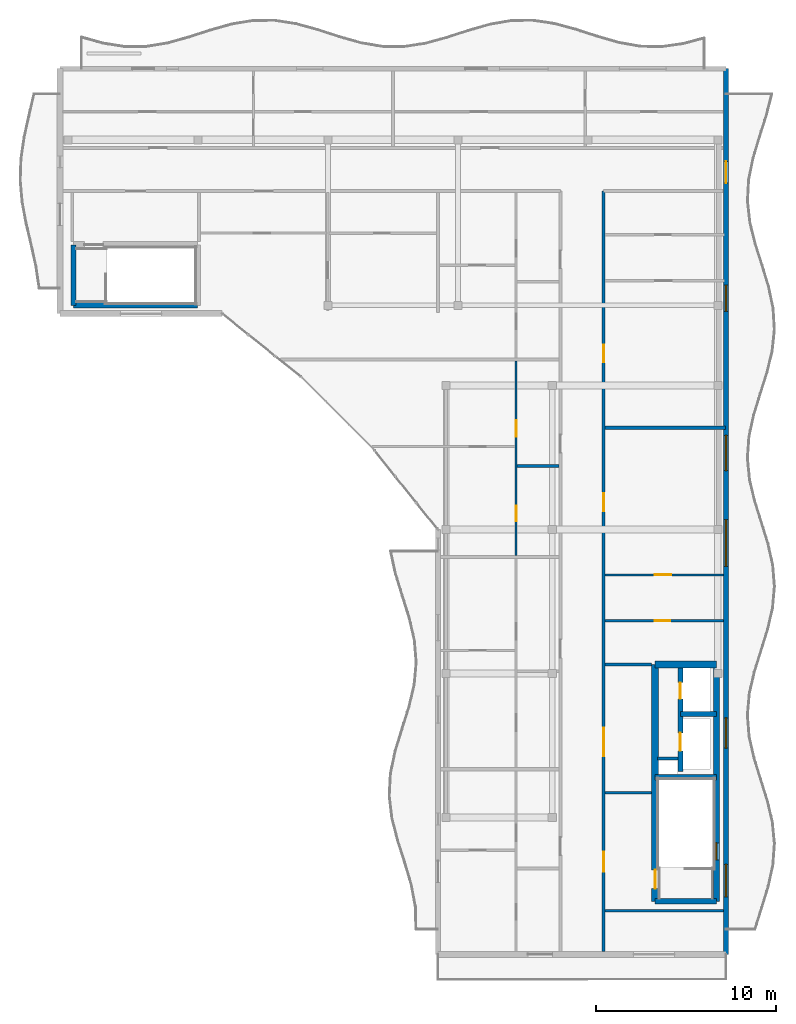
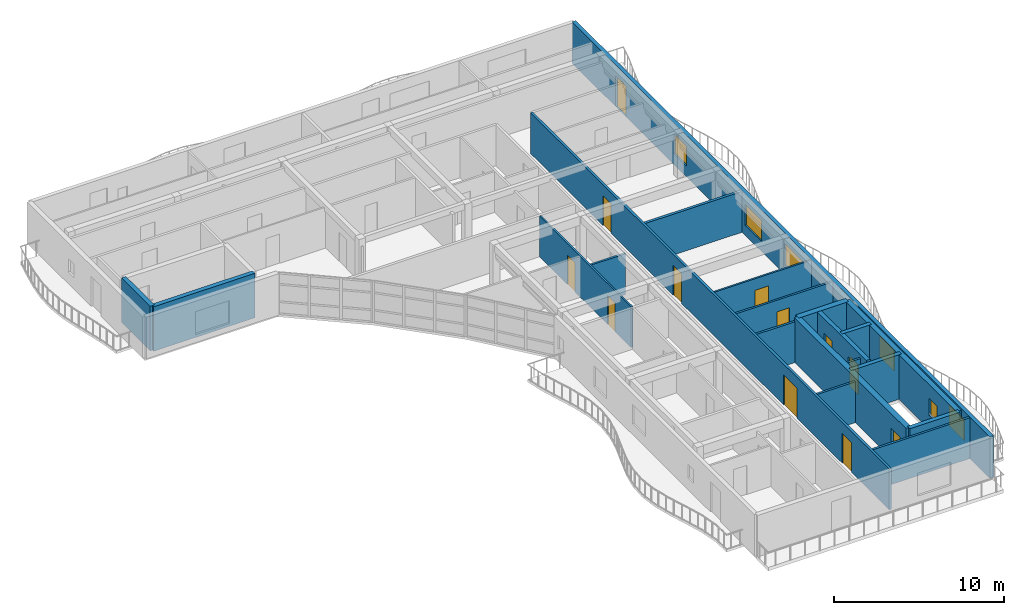
# One storey, part 9 of 14: 20 walls, 12 doors, 6 windows, 18 openings.
"""IFC4 building model written with IfcOpenShell, lengths in metres."""

from ifc_helpers import new_model, si_unit, direction, frame, frame_2d, origin, place, context, subcontext, project, spatial, rectangle, extrude, material, layer, layer_set, type_object, element, fill, save


model = new_model("IFC4")

# Units and contexts
model_context = context("Model", 3, precision=1e-05, world=origin(), true_north=direction((0.0, 1.0)))
body_context = subcontext(model_context, "Body", "Model", "MODEL_VIEW")
ifc_project = project(units=[si_unit("LENGTHUNIT", "METRE"), si_unit("AREAUNIT", "SQUARE_METRE"), si_unit("VOLUMEUNIT", "CUBIC_METRE"), si_unit("PLANEANGLEUNIT", "RADIAN"), si_unit("MASSUNIT", "GRAM", prefix="KILO")], contexts=[model_context])

# Site, building, storey
site_placement = place(None, origin())
site = spatial("IfcSite", under=ifc_project, at=site_placement, CompositionType="ELEMENT")
building_placement = place(site_placement, origin())
building = spatial("IfcBuilding", under=site, at=building_placement, Name="Keldmere Railside Commons", CompositionType="ELEMENT")
storey_placement = place(building_placement, frame((0.0, 0.0, 42.56005859375)))
storey = spatial("IfcBuildingStorey", under=building, at=storey_placement, Name="L13", CompositionType="ELEMENT", Elevation=42.56005859375)

# Wall
ifc_material_1 = material(Name="Acoustic Gypsum Board Partition", Category="gypsum")
ifc_layer_1 = layer(ifc_material_1, 0.179931640625, Name="Acoustic Demising Partition 180")
ifc_layer_set_1 = layer_set([ifc_layer_1], Name="Acoustic Gypsum Board Partition")
wall_type_1 = type_object("IfcWallType", Name="Acoustic Demising Partition 180", PredefinedType="PARTITIONING", material=ifc_layer_set_1)
wall_1_placement = place(storey_placement, frame((177.280029296875, 93.64990234375, 0.0), z_axis=(0.0, 0.0, 1.0), x_axis=(1.0, 0.0, 0.0)))
element("IfcWall", 1, at=wall_1_placement, inside=storey, type_object=wall_type_1, Name="IW-1 IW-L13-1968", PredefinedType="PARTITIONING", context=body_context, shape_type="SweptSolid", body=[
    extrude(rectangle(XDim=6.679931640625, YDim=0.179931640625, at=frame_2d((3.33984375, 0.0))), origin(), (0.0, 0.0, 1.0), 2.93505859375),
])

# Wall, openings, doors
ifc_layer_2 = layer(ifc_material_1, 0.1201171875, Name="Apartment Interior Partition 120")
ifc_layer_set_2 = layer_set([ifc_layer_2], Name="Acoustic Gypsum Board Partition")
wall_type_2 = type_object("IfcWallType", Name="Apartment Interior Partition 120", PredefinedType="PARTITIONING", material=ifc_layer_set_2)
wall_2_placement = place(storey_placement, frame((172.340087890625, 86.570068359375, 0.0), z_axis=(0.0, 0.0, 1.0), x_axis=(0.0, 1.0, 0.0)))
wall_2 = element("IfcWall", 2, at=wall_2_placement, inside=storey, type_object=wall_type_2, Name="IW-4 IW-L13-1952", PredefinedType="PARTITIONING", context=body_context, shape_type="SweptSolid", body=[
    extrude(rectangle(XDim=10.780029296875, YDim=0.1201171875, at=frame_2d((5.39013671875, 0.0))), origin(), (0.0, 0.0, 1.0), 2.93505859375),
])
opening_1_placement = place(wall_2_placement, frame((1.884765625, 0.0, 0.0)))
opening_1 = element("IfcOpeningElement", 3, at=opening_1_placement, cuts=wall_2, Name="Opening ID-04", PredefinedType="OPENING", context=body_context, shape_type="SweptSolid", body=[
    extrude(rectangle(XDim=0.860107421875, YDim=2.10009765625, at=frame_2d((0.43017578125, 1.050048828125))), frame((0.0, 0.070068359375, 0.0), z_axis=(0.0, -1.0, 0.0), x_axis=(1.0, 0.0, 0.0)), (0.0, 0.0, 1.0), 0.14013671875),
])
opening_2_placement = place(wall_2_placement, frame((6.589599609375, 0.0, 0.0)))
opening_2 = element("IfcOpeningElement", 4, at=opening_2_placement, cuts=wall_2, Name="Opening ID-03", PredefinedType="OPENING", context=body_context, shape_type="SweptSolid", body=[
    extrude(rectangle(XDim=0.919921875, YDim=2.10009765625, at=frame_2d((0.4599609375, 1.050048828125))), frame((0.0, 0.070068359375, 0.0), z_axis=(0.0, -1.0, 0.0), x_axis=(1.0, 0.0, 0.0)), (0.0, 0.0, 1.0), 0.14013671875),
])
ifc_material_2 = material(Name="Engineered Oak Timber", Category="wood")
door_type_1 = type_object("IfcDoorType", Name="Apartment Bathroom Door 860x2100", OperationType="NOTDEFINED", PredefinedType="DOOR", material=ifc_material_2)
door_1_placement = place(opening_1_placement, origin())
door_1 = element("IfcDoor", 5, at=door_1_placement, inside=storey, type_object=door_type_1, Name="ID-04 IDR-L13-1788", OperationType="SINGLE_SWING_RIGHT", OverallHeight=2.10009765625, OverallWidth=0.860107421875, PredefinedType="DOOR", context=body_context, shape_type="SweptSolid", body=[
    extrude(rectangle(XDim=0.860107421875, YDim=2.10009765625, at=frame_2d((0.43017578125, 1.050048828125))), frame((0.0, 0.02490234375, 0.0), z_axis=(0.0, -1.0, 0.0), x_axis=(1.0, 0.0, 0.0)), (0.0, 0.0, 1.0), 0.050048828125),
])
fill(opening_1, door_1)
door_type_2 = type_object("IfcDoorType", Name="Kitchen Pocket-Frame Swing Door 920x2100", OperationType="NOTDEFINED", PredefinedType="DOOR", material=ifc_material_2)
door_2_placement = place(opening_2_placement, origin())
door_2 = element("IfcDoor", 6, at=door_2_placement, inside=storey, type_object=door_type_2, Name="ID-03 IDR-L13-1789", OperationType="SINGLE_SWING_LEFT", OverallHeight=2.10009765625, OverallWidth=0.919921875, PredefinedType="DOOR", context=body_context, shape_type="SweptSolid", body=[
    extrude(rectangle(XDim=0.919921875, YDim=2.10009765625, at=frame_2d((0.4599609375, 1.050048828125))), frame((0.0, 0.02490234375, 0.0), z_axis=(0.0, -1.0, 0.0), x_axis=(1.0, 0.0, 0.0)), (0.0, 0.0, 1.0), 0.050048828125),
])
fill(opening_2, door_2)

# Wall, opening, door
wall_3_placement = place(storey_placement, frame((177.280029296875, 85.47998046875, 0.0), z_axis=(0.0, 0.0, 1.0), x_axis=(1.0, 0.0, 0.0)))
wall_3 = element("IfcWall", 7, at=wall_3_placement, inside=storey, type_object=wall_type_2, Name="IW-4 IW-L13-1970", PredefinedType="PARTITIONING", context=body_context, shape_type="SweptSolid", body=[
    extrude(rectangle(XDim=6.590087890625, YDim=0.1201171875, at=frame_2d((3.294921875, 0.0))), origin(), (0.0, 0.0, 1.0), 2.93505859375),
])
opening_3_placement = place(wall_3_placement, frame((2.767822265625, 0.0, 0.0)))
opening_3 = element("IfcOpeningElement", 8, at=opening_3_placement, cuts=wall_3, Name="Opening ID-03", PredefinedType="OPENING", context=body_context, shape_type="SweptSolid", body=[
    extrude(rectangle(XDim=0.919921875, YDim=2.10009765625, at=frame_2d((0.4599609375, 1.050048828125))), frame((0.0, 0.070068359375, 0.0), z_axis=(0.0, -1.0, 0.0), x_axis=(1.0, 0.0, 0.0)), (0.0, 0.0, 1.0), 0.14013671875),
])
door_3_placement = place(opening_3_placement, origin())
door_3 = element("IfcDoor", 9, at=door_3_placement, inside=storey, type_object=door_type_2, Name="ID-03 IDR-L13-1810", OperationType="SINGLE_SWING_RIGHT", OverallHeight=2.10009765625, OverallWidth=0.919921875, PredefinedType="DOOR", context=body_context, shape_type="SweptSolid", body=[
    extrude(rectangle(XDim=0.919921875, YDim=2.10009765625, at=frame_2d((0.4599609375, 1.050048828125))), frame((0.0, 0.02490234375, 0.0), z_axis=(0.0, -1.0, 0.0), x_axis=(1.0, 0.0, 0.0)), (0.0, 0.0, 1.0), 0.050048828125),
])
fill(opening_3, door_3)

# Walls
ifc_material_3 = material(Name="Concrete H-35 (C35/45)", Category="concrete")
ifc_layer_3 = layer(ifc_material_3, 0.280029296875, Name="Core Shear Wall 280")
ifc_layer_set_3 = layer_set([ifc_layer_3], Name="Concrete H-35 (C35/45)")
wall_type_3 = type_object("IfcWallType", Name="Core Shear Wall 280", PredefinedType="SHEAR", material=ifc_layer_set_3)
wall_4_placement = place(storey_placement, frame((180.06005859375, 74.239990234375, 0.0), z_axis=(0.0, 0.0, 1.0), x_axis=(1.0, 0.0, 0.0)))
element("IfcWall", 10, at=wall_4_placement, inside=storey, type_object=wall_type_3, Name="CSW-2 COREAM-L13-0868", PredefinedType="SHEAR", context=body_context, shape_type="SweptSolid", body=[
    extrude(rectangle(XDim=3.409912109375, YDim=0.280029296875, at=frame_2d((1.705078125, 0.0))), origin(), (0.0, 0.0, 1.0), 3.199951171875),
])
wall_5_placement = place(storey_placement, frame((181.469970703125, 77.75, 0.0), z_axis=(0.0, 0.0, 1.0), x_axis=(1.0, 0.0, 0.0)))
element("IfcWall", 11, at=wall_5_placement, inside=storey, type_object=wall_type_3, Name="CSW-2 COREAL-L13-0869", PredefinedType="SHEAR", context=body_context, shape_type="SweptSolid", body=[
    extrude(rectangle(XDim=2.0, YDim=0.280029296875, at=frame_2d((1.0, 0.0))), origin(), (0.0, 0.0, 1.0), 3.199951171875),
])

# Wall, openings, doors
wall_6_placement = place(storey_placement, frame((181.469970703125, 74.550048828125, 0.0), z_axis=(0.0, 0.0, 1.0), x_axis=(0.0, 1.0, 0.0)))
wall_6 = element("IfcWall", 12, at=wall_6_placement, inside=storey, type_object=wall_type_3, Name="CSW-2 LSHA-L13-0870", PredefinedType="SHEAR", context=body_context, shape_type="SweptSolid", body=[
    extrude(rectangle(XDim=5.949951171875, YDim=0.280029296875, at=frame_2d((2.97509765625, 0.0))), origin(), (0.0, 0.0, 1.0), 3.199951171875),
])
opening_4_placement = place(wall_6_placement, frame((1.14990234375, 0.0, 0.0)))
opening_4 = element("IfcOpeningElement", 13, at=opening_4_placement, cuts=wall_6, Name="Opening LD-1", PredefinedType="OPENING", context=body_context, shape_type="SweptSolid", body=[
    extrude(rectangle(XDim=1.0, YDim=2.14990234375, at=frame_2d((0.5, 1.074951171875))), frame((0.0, 0.14990234375, 0.0), z_axis=(0.0, -1.0, 0.0), x_axis=(1.0, 0.0, 0.0)), (0.0, 0.0, 1.0), 0.300048828125),
])
opening_5_placement = place(wall_6_placement, frame((4.050048828125, 0.0, 0.0)))
opening_5 = element("IfcOpeningElement", 14, at=opening_5_placement, cuts=wall_6, Name="Opening LD-2", PredefinedType="OPENING", context=body_context, shape_type="SweptSolid", body=[
    extrude(rectangle(XDim=0.89990234375, YDim=2.14990234375, at=frame_2d((0.449951171875, 1.074951171875))), frame((0.0, 0.14990234375, 0.0), z_axis=(0.0, -1.0, 0.0), x_axis=(1.0, 0.0, 0.0)), (0.0, 0.0, 1.0), 0.300048828125),
])
ifc_material_4 = material(Name="Steel F-24 (S235)", Category="steel")
door_type_3 = type_object("IfcDoorType", Name="Firefighting Stretcher Lift Landing Door 1000x2150", OperationType="SLIDING_TO_LEFT", PredefinedType="DOOR", material=ifc_material_4)
door_4_placement = place(opening_4_placement, origin())
door_4 = element("IfcDoor", 15, at=door_4_placement, inside=storey, type_object=door_type_3, Name="LD-1 A L13", OperationType="SLIDING_TO_LEFT", OverallHeight=2.14990234375, OverallWidth=1.0, PredefinedType="DOOR", context=body_context, shape_type="SweptSolid", body=[
    extrude(rectangle(XDim=1.0, YDim=2.14990234375, at=frame_2d((0.5, 1.074951171875))), frame((0.0, 0.02490234375, 0.0), z_axis=(0.0, -1.0, 0.0), x_axis=(1.0, 0.0, 0.0)), (0.0, 0.0, 1.0), 0.050048828125),
])
fill(opening_4, door_4)
door_type_4 = type_object("IfcDoorType", Name="Passenger Lift Sliding Landing Door 900x2150", OperationType="SLIDING_TO_RIGHT", PredefinedType="DOOR", material=ifc_material_4)
door_5_placement = place(opening_5_placement, origin())
door_5 = element("IfcDoor", 16, at=door_5_placement, inside=storey, type_object=door_type_4, Name="LD-2 A L13", OperationType="SLIDING_TO_RIGHT", OverallHeight=2.14990234375, OverallWidth=0.89990234375, PredefinedType="DOOR", context=body_context, shape_type="SweptSolid", body=[
    extrude(rectangle(XDim=0.89990234375, YDim=2.14990234375, at=frame_2d((0.449951171875, 1.074951171875))), frame((0.0, 0.02490234375, 0.0), z_axis=(0.0, -1.0, 0.0), x_axis=(1.0, 0.0, 0.0)), (0.0, 0.0, 1.0), 0.050048828125),
])
fill(opening_5, door_5)

# Wall, opening, door
ifc_material_5 = material(Name="Concrete H-40 (C40/50)", Category="concrete")
ifc_layer_4 = layer(ifc_material_5, 0.3798828125, Name="Core Shear Wall 380")
ifc_layer_set_4 = layer_set([ifc_layer_4], Name="Concrete H-40 (C40/50)")
wall_type_4 = type_object("IfcWallType", Name="Core Shear Wall 380", PredefinedType="SHEAR", material=ifc_layer_set_4)
wall_7_placement = place(storey_placement, frame((180.06005859375, 67.35009765625, 0.0), z_axis=(0.0, 0.0, 1.0), x_axis=(0.0, 1.0, 0.0)))
wall_7 = element("IfcWall", 17, at=wall_7_placement, inside=storey, type_object=wall_type_4, Name="CW-CORE COREAW-L13-0864", PredefinedType="SHEAR", context=body_context, shape_type="SweptSolid", body=[
    extrude(rectangle(XDim=13.14990234375, YDim=0.3798828125, at=frame_2d((6.574951171875, 0.0))), origin(), (0.0, 0.0, 1.0), 3.199951171875),
])
opening_6_placement = place(wall_7_placement, frame((0.699951171875, 0.0, 0.0)))
opening_6 = element("IfcOpeningElement", 18, at=opening_6_placement, cuts=wall_7, Name="Opening FD-1", PredefinedType="OPENING", context=body_context, shape_type="SweptSolid", body=[
    extrude(rectangle(XDim=1.050048828125, YDim=2.14990234375, at=frame_2d((0.52490234375, 1.074951171875))), frame((0.0, 0.199951171875, 0.0), z_axis=(0.0, -1.0, 0.0), x_axis=(1.0, 0.0, 0.0)), (0.0, 0.0, 1.0), 0.39990234375),
])
door_type_5 = type_object("IfcDoorType", Name="Stair Core Fire Door 1050x2150", OperationType="NOTDEFINED", PredefinedType="DOOR", material=ifc_material_4)
door_6_placement = place(opening_6_placement, origin())
door_6 = element("IfcDoor", 19, at=door_6_placement, inside=storey, type_object=door_type_5, Name="FD-1 A1 L13", OperationType="SINGLE_SWING_LEFT", OverallHeight=2.14990234375, OverallWidth=1.050048828125, PredefinedType="DOOR", context=body_context, shape_type="SweptSolid", body=[
    extrude(rectangle(XDim=1.050048828125, YDim=2.14990234375, at=frame_2d((0.52490234375, 1.074951171875))), frame((0.0, 0.02490234375, 0.0), z_axis=(0.0, -1.0, 0.0), x_axis=(1.0, 0.0, 0.0)), (0.0, 0.0, 1.0), 0.050048828125),
])
fill(opening_6, door_6)

# Wall
wall_8_placement = place(storey_placement, frame((180.06005859375, 80.5, 0.0), z_axis=(0.0, 0.0, 1.0), x_axis=(1.0, 0.0, 0.0)))
element("IfcWall", 20, at=wall_8_placement, inside=storey, type_object=wall_type_4, Name="CW-CORE COREAN-L13-0865", PredefinedType="SHEAR", context=body_context, shape_type="SweptSolid", body=[
    extrude(rectangle(XDim=3.409912109375, YDim=0.3798828125, at=frame_2d((1.705078125, 0.0))), origin(), (0.0, 0.0, 1.0), 3.199951171875),
])

# Wall, openings, doors
ifc_layer_5 = layer(ifc_material_1, 0.159912109375, Name="Corridor Fire Partition 160")
ifc_layer_set_5 = layer_set([ifc_layer_5], Name="Acoustic Gypsum Board Partition")
wall_type_5 = type_object("IfcWallType", Name="Corridor Fire Partition 160", PredefinedType="PARTITIONING", material=ifc_layer_set_5)
wall_9_placement = place(storey_placement, frame((177.199951171875, 64.56005859375, 0.0), z_axis=(0.0, 0.0, 1.0), x_axis=(0.0, 1.0, 0.0)))
wall_9 = element("IfcWall", 21, at=wall_9_placement, inside=storey, type_object=wall_type_5, Name="IW-2 IW-L13-1936", PredefinedType="PARTITIONING", context=body_context, shape_type="SweptSolid", body=[
    extrude(rectangle(XDim=42.239990234375, YDim=0.159912109375, at=frame_2d((21.1201171875, 0.0))), origin(), (0.0, 0.0, 1.0), 2.93505859375),
])
opening_7_placement = place(wall_9_placement, frame((4.43994140625, 0.0, 0.0)))
opening_7 = element("IfcOpeningElement", 22, at=opening_7_placement, cuts=wall_9, Name="Opening FD-2", PredefinedType="OPENING", context=body_context, shape_type="SweptSolid", body=[
    extrude(rectangle(XDim=1.10009765625, YDim=2.14990234375, at=frame_2d((0.550048828125, 1.074951171875))), frame((0.0, 0.08984375, 0.0), z_axis=(0.0, -1.0, 0.0), x_axis=(1.0, 0.0, 0.0)), (0.0, 0.0, 1.0), 0.179931640625),
])
opening_8_placement = place(wall_9_placement, frame((10.840087890625, 0.0, 0.0)))
opening_8 = element("IfcOpeningElement", 23, at=opening_8_placement, cuts=wall_9, Name="Opening FD-4", PredefinedType="OPENING", context=body_context, shape_type="SweptSolid", body=[
    extrude(rectangle(XDim=1.60009765625, YDim=2.14990234375, at=frame_2d((0.800048828125, 1.074951171875))), frame((0.0, 0.08984375, 0.0), z_axis=(0.0, -1.0, 0.0), x_axis=(1.0, 0.0, 0.0)), (0.0, 0.0, 1.0), 0.179931640625),
])
opening_9_placement = place(wall_9_placement, frame((24.469970703125, 0.0, 0.0)))
opening_9 = element("IfcOpeningElement", 24, at=opening_9_placement, cuts=wall_9, Name="Opening FD-7", PredefinedType="OPENING", context=body_context, shape_type="SweptSolid", body=[
    extrude(rectangle(XDim=0.97998046875, YDim=2.14990234375, at=frame_2d((0.489990234375, 1.074951171875))), frame((0.0, 0.08984375, 0.0), z_axis=(0.0, -1.0, 0.0), x_axis=(1.0, 0.0, 0.0)), (0.0, 0.0, 1.0), 0.179931640625),
])
opening_10_placement = place(wall_9_placement, frame((32.72998046875, 0.0, 0.0)))
opening_10 = element("IfcOpeningElement", 25, at=opening_10_placement, cuts=wall_9, Name="Opening FD-7", PredefinedType="OPENING", context=body_context, shape_type="SweptSolid", body=[
    extrude(rectangle(XDim=0.97998046875, YDim=2.14990234375, at=frame_2d((0.489990234375, 1.074951171875))), frame((0.0, 0.08984375, 0.0), z_axis=(0.0, -1.0, 0.0), x_axis=(1.0, 0.0, 0.0)), (0.0, 0.0, 1.0), 0.179931640625),
])
door_type_6 = type_object("IfcDoorType", Name="Apartment Entrance Acoustic Fire Door 980x2150", OperationType="NOTDEFINED", PredefinedType="DOOR", material=ifc_material_2)
door_7_placement = place(opening_9_placement, origin())
door_7 = element("IfcDoor", 26, at=door_7_placement, inside=storey, type_object=door_type_6, Name="FD-7 IDR-L13-1811", OperationType="SINGLE_SWING_LEFT", OverallHeight=2.14990234375, OverallWidth=0.97998046875, PredefinedType="DOOR", context=body_context, shape_type="SweptSolid", body=[
    extrude(rectangle(XDim=0.97998046875, YDim=2.14990234375, at=frame_2d((0.489990234375, 1.074951171875))), frame((0.0, 0.02490234375, 0.0), z_axis=(0.0, -1.0, 0.0), x_axis=(1.0, 0.0, 0.0)), (0.0, 0.0, 1.0), 0.050048828125),
])
fill(opening_9, door_7)
door_8_placement = place(opening_10_placement, origin())
door_8 = element("IfcDoor", 27, at=door_8_placement, inside=storey, type_object=door_type_6, Name="FD-7 IDR-L13-1814", OperationType="SINGLE_SWING_RIGHT", OverallHeight=2.14990234375, OverallWidth=0.97998046875, PredefinedType="DOOR", context=body_context, shape_type="SweptSolid", body=[
    extrude(rectangle(XDim=0.97998046875, YDim=2.14990234375, at=frame_2d((0.489990234375, 1.074951171875))), frame((0.0, 0.02490234375, 0.0), z_axis=(0.0, -1.0, 0.0), x_axis=(1.0, 0.0, 0.0)), (0.0, 0.0, 1.0), 0.050048828125),
])
fill(opening_10, door_8)
door_type_7 = type_object("IfcDoorType", Name="Corridor Cross-Compartment Double Fire Door 1600x2150", OperationType="DOUBLE_DOOR_SINGLE_SWING", PredefinedType="DOOR", material=ifc_material_4)
door_9_placement = place(opening_8_placement, origin())
door_9 = element("IfcDoor", 28, at=door_9_placement, inside=storey, type_object=door_type_7, Name="FD-4 IDR-L13-1779", OperationType="DOUBLE_DOOR_SINGLE_SWING", OverallHeight=2.14990234375, OverallWidth=1.60009765625, PredefinedType="DOOR", context=body_context, shape_type="SweptSolid", body=[
    extrude(rectangle(XDim=1.60009765625, YDim=2.14990234375, at=frame_2d((0.800048828125, 1.074951171875))), frame((0.0, 0.02490234375, 0.0), z_axis=(0.0, -1.0, 0.0), x_axis=(1.0, 0.0, 0.0)), (0.0, 0.0, 1.0), 0.050048828125),
])
fill(opening_8, door_9)
door_type_8 = type_object("IfcDoorType", Name="Firefighting Lobby Fire Door 1100x2150", OperationType="NOTDEFINED", PredefinedType="DOOR", material=ifc_material_4)
door_10_placement = place(opening_7_placement, origin())
door_10 = element("IfcDoor", 29, at=door_10_placement, inside=storey, type_object=door_type_8, Name="FD-2 IDR-L13-1778", OperationType="SINGLE_SWING_RIGHT", OverallHeight=2.14990234375, OverallWidth=1.10009765625, PredefinedType="DOOR", context=body_context, shape_type="SweptSolid", body=[
    extrude(rectangle(XDim=1.10009765625, YDim=2.14990234375, at=frame_2d((0.550048828125, 1.074951171875))), frame((0.0, 0.02490234375, 0.0), z_axis=(0.0, -1.0, 0.0), x_axis=(1.0, 0.0, 0.0)), (0.0, 0.0, 1.0), 0.050048828125),
])
fill(opening_7, door_10)

# Walls
ifc_layer_6 = layer(ifc_material_3, 0.300048828125, Name="Interior Shear Wall 300")
ifc_layer_set_6 = layer_set([ifc_layer_6], Name="Concrete H-35 (C35/45)")
wall_type_6 = type_object("IfcWallType", Name="Interior Shear Wall 300", PredefinedType="SHEAR", material=ifc_layer_set_6)
wall_10_placement = place(storey_placement, frame((183.469970703125, 67.35009765625, 0.0), z_axis=(0.0, 0.0, 1.0), x_axis=(-1.0, 0.0, 0.0)))
element("IfcWall", 30, at=wall_10_placement, inside=storey, type_object=wall_type_6, Name="ISW-2 COREAS-L13-0867", PredefinedType="SHEAR", context=body_context, shape_type="SweptSolid", body=[
    extrude(rectangle(XDim=3.409912109375, YDim=0.300048828125, at=frame_2d((1.705078125, 0.0))), origin(), (0.0, 0.0, 1.0), 3.199951171875),
])
wall_11_placement = place(storey_placement, frame((147.75, 100.449951171875, 0.0), z_axis=(0.0, 0.0, 1.0), x_axis=(1.0, 0.0, 0.0)))
element("IfcWall", 31, at=wall_11_placement, inside=storey, type_object=wall_type_6, Name="ISW-2 COREA2S-L13-0872", PredefinedType="SHEAR", context=body_context, shape_type="SweptSolid", body=[
    extrude(rectangle(XDim=6.89990234375, YDim=0.300048828125, at=frame_2d((3.449951171875, 0.0))), origin(), (0.0, 0.0, 1.0), 3.199951171875),
])
wall_12_placement = place(storey_placement, frame((147.75, 103.820068359375, 0.0), z_axis=(0.0, 0.0, 1.0), x_axis=(0.0, -1.0, 0.0)))
element("IfcWall", 32, at=wall_12_placement, inside=storey, type_object=wall_type_6, Name="ISW-2 COREA2W-L13-0874", PredefinedType="SHEAR", context=body_context, shape_type="SweptSolid", body=[
    extrude(rectangle(XDim=3.3701171875, YDim=0.300048828125, at=frame_2d((1.68505859375, 0.0))), origin(), (0.0, 0.0, 1.0), 3.199951171875),
])

# Wall, opening, window
ifc_layer_7 = layer(ifc_material_3, 0.340087890625, Name="Interior Shear Wall 340")
ifc_layer_set_7 = layer_set([ifc_layer_7], Name="Concrete H-35 (C35/45)")
wall_type_7 = type_object("IfcWallType", Name="Interior Shear Wall 340", PredefinedType="SHEAR", material=ifc_layer_set_7)
wall_13_placement = place(storey_placement, frame((183.469970703125, 80.5, 0.0), z_axis=(0.0, 0.0, 1.0), x_axis=(0.0, -1.0, 0.0)))
wall_13 = element("IfcWall", 33, at=wall_13_placement, inside=storey, type_object=wall_type_7, Name="ISW-1 COREAE-L13-0866", PredefinedType="SHEAR", context=body_context, shape_type="SweptSolid", body=[
    extrude(rectangle(XDim=13.14990234375, YDim=0.340087890625, at=frame_2d((6.574951171875, 0.0))), origin(), (0.0, 0.0, 1.0), 3.199951171875),
])
opening_11_placement = place(wall_13_placement, frame((9.89990234375, 0.0, 0.969970703125)))
opening_11 = element("IfcOpeningElement", 34, at=opening_11_placement, cuts=wall_13, Name="Opening WN-17", PredefinedType="OPENING", context=body_context, shape_type="SweptSolid", body=[
    extrude(rectangle(XDim=0.949951171875, YDim=1.25, at=frame_2d((0.47509765625, 0.625))), frame((0.0, 0.179931640625, 0.0), z_axis=(0.0, -1.0, 0.0), x_axis=(1.0, 0.0, 0.0)), (0.0, 0.0, 1.0), 0.360107421875),
])
ifc_material_6 = material(Name="Low-E Insulated Double Glazing", Category="glass")
window_type_1 = type_object("IfcWindowType", Name="Stair Core Natural Smoke-Vent Window 950x1250", PartitioningType="SINGLE_PANEL", PredefinedType="WINDOW", material=ifc_material_6)
window_1_placement = place(opening_11_placement, origin())
window_1 = element("IfcWindow", 35, at=window_1_placement, inside=storey, type_object=window_type_1, Name="WN-17 WIN-L13-0569", OverallHeight=1.25, OverallWidth=0.949951171875, PartitioningType="SINGLE_PANEL", PredefinedType="WINDOW", context=body_context, shape_type="SweptSolid", body=[
    extrude(rectangle(XDim=0.949951171875, YDim=1.25, at=frame_2d((0.47509765625, 0.625))), frame((0.0, 0.030029296875, 0.0), z_axis=(0.0, -1.0, 0.0), x_axis=(1.0, 0.0, 0.0)), (0.0, 0.0, 1.0), 0.06005859375),
])
fill(opening_11, window_1)

# Walls
ifc_layer_8 = layer(ifc_material_1, 0.14990234375, Name="Lobby Rated Partition 150")
ifc_layer_set_8 = layer_set([ifc_layer_8], Name="Acoustic Gypsum Board Partition")
wall_type_8 = type_object("IfcWallType", Name="Lobby Rated Partition 150", PredefinedType="PARTITIONING", material=ifc_layer_set_8)
wall_14_placement = place(storey_placement, frame((180.199951171875, 75.280029296875, 0.0), z_axis=(0.0, 0.0, 1.0), x_axis=(1.0, 0.0, 0.0)))
element("IfcWall", 36, at=wall_14_placement, inside=storey, type_object=wall_type_8, Name="IW-3 RSRNA-L13-0871", PredefinedType="PARTITIONING", context=body_context, shape_type="SweptSolid", body=[
    extrude(rectangle(XDim=1.130126953125, YDim=0.14990234375, at=frame_2d((0.56494140625, 0.0))), origin(), (0.0, 0.0, 1.0), 2.949951171875),
])
wall_15_placement = place(storey_placement, frame((177.280029296875, 66.820068359375, 0.0), z_axis=(0.0, 0.0, 1.0), x_axis=(1.0, 0.0, 0.0)))
element("IfcWall", 37, at=wall_15_placement, inside=storey, type_object=wall_type_8, Name="IW-3 IW-L13-1932", PredefinedType="PARTITIONING", context=body_context, shape_type="SweptSolid", body=[
    extrude(rectangle(XDim=6.590087890625, YDim=0.14990234375, at=frame_2d((3.294921875, 0.0))), origin(), (0.0, 0.0, 1.0), 2.93505859375),
])
for number, where, z_axis, x_axis, name in (
    (38, (177.280029296875, 73.3798828125, 0.0), (0.0, 0.0, 1.0), (1.0, 0.0, 0.0), "IW-3 IW-L13-1933"),
    (39, (177.280029296875, 80.5, 0.0), (0.0, 0.0, 1.0), (1.0, 0.0, 0.0), "IW-3 IW-L13-1934"),
):
    element("IfcWall", number, at=place(storey_placement, frame(where, z_axis=z_axis, x_axis=x_axis)), inside=storey, type_object=wall_type_8, Name=name, PredefinedType="PARTITIONING", context=body_context, shape_type="SweptSolid", body=[
        extrude(rectangle(XDim=2.590087890625, YDim=0.14990234375, at=frame_2d((1.294921875, 0.0))), origin(), (0.0, 0.0, 1.0), 2.93505859375),
    ])

# Wall, openings, windows, door
ifc_material_7 = material(Name="Terracotta Brick Masonry", Category="masonry")
ifc_layer_9 = layer(ifc_material_7, 0.260009765625, Name="Terracotta Cavity Wall 260")
ifc_layer_set_9 = layer_set([ifc_layer_9], Name="Terracotta Brick Masonry")
wall_type_9 = type_object("IfcWallType", Name="Terracotta Cavity Wall 260", PredefinedType="SOLIDWALL", material=ifc_layer_set_9)
wall_16_placement = place(storey_placement, frame((184.0, 113.60009765625, 0.0), z_axis=(0.0, 0.0, 1.0), x_axis=(0.0, -1.0, 0.0)))
wall_16 = element("IfcWall", 40, at=wall_16_placement, inside=storey, type_object=wall_type_9, Name="EW-1 EXTA-L13-0966", PredefinedType="SOLIDWALL", context=body_context, shape_type="SweptSolid", body=[
    extrude(rectangle(XDim=49.2001953125, YDim=0.260009765625, at=frame_2d((24.60009765625, 0.0))), origin(), (0.0, 0.0, 1.0), 2.97998046875),
])
opening_12_placement = place(wall_16_placement, frame((5.14990234375, 0.0, 0.0)))
opening_12 = element("IfcOpeningElement", 41, at=opening_12_placement, cuts=wall_16, Name="Opening BD-01", PredefinedType="OPENING", context=body_context, shape_type="SweptSolid", body=[
    extrude(rectangle(XDim=1.199951171875, YDim=2.199951171875, at=frame_2d((0.60009765625, 1.10009765625))), frame((0.0, 0.139892578125, 0.0), z_axis=(0.0, -1.0, 0.0), x_axis=(1.0, 0.0, 0.0)), (0.0, 0.0, 1.0), 0.280029296875),
])
opening_13_placement = place(wall_16_placement, frame((12.02490234375, 0.0, 0.77001953125)))
opening_13 = element("IfcOpeningElement", 42, at=opening_13_placement, cuts=wall_16, Name="Opening WN-24", PredefinedType="OPENING", context=body_context, shape_type="SweptSolid", body=[
    extrude(rectangle(XDim=1.449951171875, YDim=1.449951171875, at=frame_2d((0.72509765625, 0.72509765625))), frame((0.0, 0.139892578125, 0.0), z_axis=(0.0, -1.0, 0.0), x_axis=(1.0, 0.0, 0.0)), (0.0, 0.0, 1.0), 0.280029296875),
])
opening_14_placement = place(wall_16_placement, frame((20.375, 0.0, 0.719970703125)))
opening_14 = element("IfcOpeningElement", 43, at=opening_14_placement, cuts=wall_16, Name="Opening WN-38", PredefinedType="OPENING", context=body_context, shape_type="SweptSolid", body=[
    extrude(rectangle(XDim=1.949951171875, YDim=1.5, at=frame_2d((0.97509765625, 0.75))), frame((0.0, 0.139892578125, 0.0), z_axis=(0.0, -1.0, 0.0), x_axis=(1.0, 0.0, 0.0)), (0.0, 0.0, 1.0), 0.280029296875),
])
opening_15_placement = place(wall_16_placement, frame((25.050048828125, 0.0, 0.669921875)))
opening_15 = element("IfcOpeningElement", 44, at=opening_15_placement, cuts=wall_16, Name="Opening WN-39", PredefinedType="OPENING", context=body_context, shape_type="SweptSolid", body=[
    extrude(rectangle(XDim=2.60009765625, YDim=1.550048828125, at=frame_2d((1.300048828125, 0.77490234375))), frame((0.0, 0.139892578125, 0.0), z_axis=(0.0, -1.0, 0.0), x_axis=(1.0, 0.0, 0.0)), (0.0, 0.0, 1.0), 0.280029296875),
])
opening_16_placement = place(wall_16_placement, frame((36.06005859375, 0.0, 0.719970703125)))
opening_16 = element("IfcOpeningElement", 45, at=opening_16_placement, cuts=wall_16, Name="Opening WN-40", PredefinedType="OPENING", context=body_context, shape_type="SweptSolid", body=[
    extrude(rectangle(XDim=1.679931640625, YDim=1.5, at=frame_2d((0.83984375, 0.75))), frame((0.0, 0.139892578125, 0.0), z_axis=(0.0, -1.0, 0.0), x_axis=(1.0, 0.0, 0.0)), (0.0, 0.0, 1.0), 0.280029296875),
])
opening_17_placement = place(wall_16_placement, frame((44.199951171875, 0.0, 0.719970703125)))
opening_17 = element("IfcOpeningElement", 46, at=opening_17_placement, cuts=wall_16, Name="Opening WN-01", PredefinedType="OPENING", context=body_context, shape_type="SweptSolid", body=[
    extrude(rectangle(XDim=1.800048828125, YDim=1.5, at=frame_2d((0.89990234375, 0.75))), frame((0.0, 0.139892578125, 0.0), z_axis=(0.0, -1.0, 0.0), x_axis=(1.0, 0.0, 0.0)), (0.0, 0.0, 1.0), 0.280029296875),
])
window_type_2 = type_object("IfcWindowType", Name="Adaptable Apartment Wide Window 1950x1500", PartitioningType="SINGLE_PANEL", PredefinedType="WINDOW", material=ifc_material_6)
window_2_placement = place(opening_14_placement, origin())
window_2 = element("IfcWindow", 47, at=window_2_placement, inside=storey, type_object=window_type_2, Name="WN-38 WIN-L13-0804", OverallHeight=1.5, OverallWidth=1.949951171875, PartitioningType="SINGLE_PANEL", PredefinedType="WINDOW", context=body_context, shape_type="SweptSolid", body=[
    extrude(rectangle(XDim=1.949951171875, YDim=1.5, at=frame_2d((0.97509765625, 0.75))), frame((0.0, 0.030029296875, 0.0), z_axis=(0.0, -1.0, 0.0), x_axis=(1.0, 0.0, 0.0)), (0.0, 0.0, 1.0), 0.06005859375),
])
fill(opening_14, window_2)
ifc_material_8 = material(Name="Thermally Broken Aluminium", Category="aluminium")
door_type_9 = type_object("IfcDoorType", Name="Apartment Living Wave-Balcony Glazed Door 1200x2200", OperationType="NOTDEFINED", PredefinedType="DOOR", material=ifc_material_8)
door_11_placement = place(opening_12_placement, origin())
door_11 = element("IfcDoor", 48, at=door_11_placement, inside=storey, type_object=door_type_9, Name="BD-01 DR-L13-0292", OperationType="SINGLE_SWING_RIGHT", OverallHeight=2.199951171875, OverallWidth=1.199951171875, PredefinedType="DOOR", context=body_context, shape_type="SweptSolid", body=[
    extrude(rectangle(XDim=1.199951171875, YDim=2.199951171875, at=frame_2d((0.60009765625, 1.10009765625))), frame((0.0, 0.02490234375, 0.0), z_axis=(0.0, -1.0, 0.0), x_axis=(1.0, 0.0, 0.0)), (0.0, 0.0, 1.0), 0.050048828125),
])
fill(opening_12, door_11)
window_type_3 = type_object("IfcWindowType", Name="Living Room North Casement Window 1800x1500", PartitioningType="SINGLE_PANEL", PredefinedType="WINDOW", material=ifc_material_6)
window_3_placement = place(opening_17_placement, origin())
window_3 = element("IfcWindow", 49, at=window_3_placement, inside=storey, type_object=window_type_3, Name="WN-01 WIN-L13-0807", OverallHeight=1.5, OverallWidth=1.800048828125, PartitioningType="SINGLE_PANEL", PredefinedType="WINDOW", context=body_context, shape_type="SweptSolid", body=[
    extrude(rectangle(XDim=1.800048828125, YDim=1.5, at=frame_2d((0.89990234375, 0.75))), frame((0.0, 0.030029296875, 0.0), z_axis=(0.0, -1.0, 0.0), x_axis=(1.0, 0.0, 0.0)), (0.0, 0.0, 1.0), 0.06005859375),
])
fill(opening_17, window_3)
window_type_4 = type_object("IfcWindowType", Name="Setback Terrace Bedroom Window 1450x1450", PartitioningType="SINGLE_PANEL", PredefinedType="WINDOW", material=ifc_material_6)
window_4_placement = place(opening_13_placement, origin())
window_4 = element("IfcWindow", 50, at=window_4_placement, inside=storey, type_object=window_type_4, Name="WN-24 WIN-L13-0803", OverallHeight=1.449951171875, OverallWidth=1.449951171875, PartitioningType="SINGLE_PANEL", PredefinedType="WINDOW", context=body_context, shape_type="SweptSolid", body=[
    extrude(rectangle(XDim=1.449951171875, YDim=1.449951171875, at=frame_2d((0.72509765625, 0.72509765625))), frame((0.0, 0.030029296875, 0.0), z_axis=(0.0, -1.0, 0.0), x_axis=(1.0, 0.0, 0.0)), (0.0, 0.0, 1.0), 0.06005859375),
])
fill(opening_13, window_4)
window_type_5 = type_object("IfcWindowType", Name="Three-Bed Corner Living Window 2600x1550", PartitioningType="SINGLE_PANEL", PredefinedType="WINDOW", material=ifc_material_6)
window_5_placement = place(opening_15_placement, origin())
window_5 = element("IfcWindow", 51, at=window_5_placement, inside=storey, type_object=window_type_5, Name="WN-39 WIN-L13-0805", OverallHeight=1.550048828125, OverallWidth=2.60009765625, PartitioningType="SINGLE_PANEL", PredefinedType="WINDOW", context=body_context, shape_type="SweptSolid", body=[
    extrude(rectangle(XDim=2.60009765625, YDim=1.550048828125, at=frame_2d((1.300048828125, 0.77490234375))), frame((0.0, 0.030029296875, 0.0), z_axis=(0.0, -1.0, 0.0), x_axis=(1.0, 0.0, 0.0)), (0.0, 0.0, 1.0), 0.06005859375),
])
fill(opening_15, window_5)
window_type_6 = type_object("IfcWindowType", Name="Two-Bed Dining Casement Window 1680x1500", PartitioningType="SINGLE_PANEL", PredefinedType="WINDOW", material=ifc_material_6)
window_6_placement = place(opening_16_placement, origin())
window_6 = element("IfcWindow", 52, at=window_6_placement, inside=storey, type_object=window_type_6, Name="WN-40 WIN-L13-0806", OverallHeight=1.5, OverallWidth=1.679931640625, PartitioningType="SINGLE_PANEL", PredefinedType="WINDOW", context=body_context, shape_type="SweptSolid", body=[
    extrude(rectangle(XDim=1.679931640625, YDim=1.5, at=frame_2d((0.83984375, 0.75))), frame((0.0, 0.030029296875, 0.0), z_axis=(0.0, -1.0, 0.0), x_axis=(1.0, 0.0, 0.0)), (0.0, 0.0, 1.0), 0.06005859375),
])
fill(opening_16, window_6)

# Wall
ifc_layer_10 = layer(ifc_material_1, 0.139892578125, Name="Wet-Room Sanitary Partition 140")
ifc_layer_set_10 = layer_set([ifc_layer_10], Name="Acoustic Gypsum Board Partition")
wall_type_10 = type_object("IfcWallType", Name="Wet-Room Sanitary Partition 140", PredefinedType="PARTITIONING", material=ifc_layer_set_10)
wall_17_placement = place(storey_placement, frame((172.39990234375, 91.530029296875, 0.0), z_axis=(0.0, 0.0, 1.0), x_axis=(1.0, 0.0, 0.0)))
element("IfcWall", 53, at=wall_17_placement, inside=storey, type_object=wall_type_10, Name="IW-5 IW-L13-1953", PredefinedType="PARTITIONING", context=body_context, shape_type="SweptSolid", body=[
    extrude(rectangle(XDim=2.320068359375, YDim=0.139892578125, at=frame_2d((1.16015625, 0.0))), origin(), (0.0, 0.0, 1.0), 2.93505859375),
])

# Wall, opening, door
wall_18_placement = place(storey_placement, frame((177.280029296875, 82.929931640625, 0.0), z_axis=(0.0, 0.0, 1.0), x_axis=(1.0, 0.0, 0.0)))
wall_18 = element("IfcWall", 54, at=wall_18_placement, inside=storey, type_object=wall_type_10, Name="IW-5 IW-L13-1969", PredefinedType="PARTITIONING", context=body_context, shape_type="SweptSolid", body=[
    extrude(rectangle(XDim=6.590087890625, YDim=0.139892578125, at=frame_2d((3.294921875, 0.0))), origin(), (0.0, 0.0, 1.0), 2.93505859375),
])
opening_18_placement = place(wall_18_placement, frame((2.767822265625, 0.0, 0.0)))
opening_18 = element("IfcOpeningElement", 55, at=opening_18_placement, cuts=wall_18, Name="Opening ID-04", PredefinedType="OPENING", context=body_context, shape_type="SweptSolid", body=[
    extrude(rectangle(XDim=0.860107421875, YDim=2.10009765625, at=frame_2d((0.43017578125, 1.050048828125))), frame((0.0, 0.079833984375, 0.0), z_axis=(0.0, -1.0, 0.0), x_axis=(1.0, 0.0, 0.0)), (0.0, 0.0, 1.0), 0.159912109375),
])
door_12_placement = place(opening_18_placement, origin())
door_12 = element("IfcDoor", 56, at=door_12_placement, inside=storey, type_object=door_type_1, Name="ID-04 IDR-L13-1809", OperationType="SINGLE_SWING_LEFT", OverallHeight=2.10009765625, OverallWidth=0.860107421875, PredefinedType="DOOR", context=body_context, shape_type="SweptSolid", body=[
    extrude(rectangle(XDim=0.860107421875, YDim=2.10009765625, at=frame_2d((0.43017578125, 1.050048828125))), frame((0.0, 0.02490234375, 0.0), z_axis=(0.0, -1.0, 0.0), x_axis=(1.0, 0.0, 0.0)), (0.0, 0.0, 1.0), 0.050048828125),
])
fill(opening_18, door_12)

save(model, "model.ifc")
